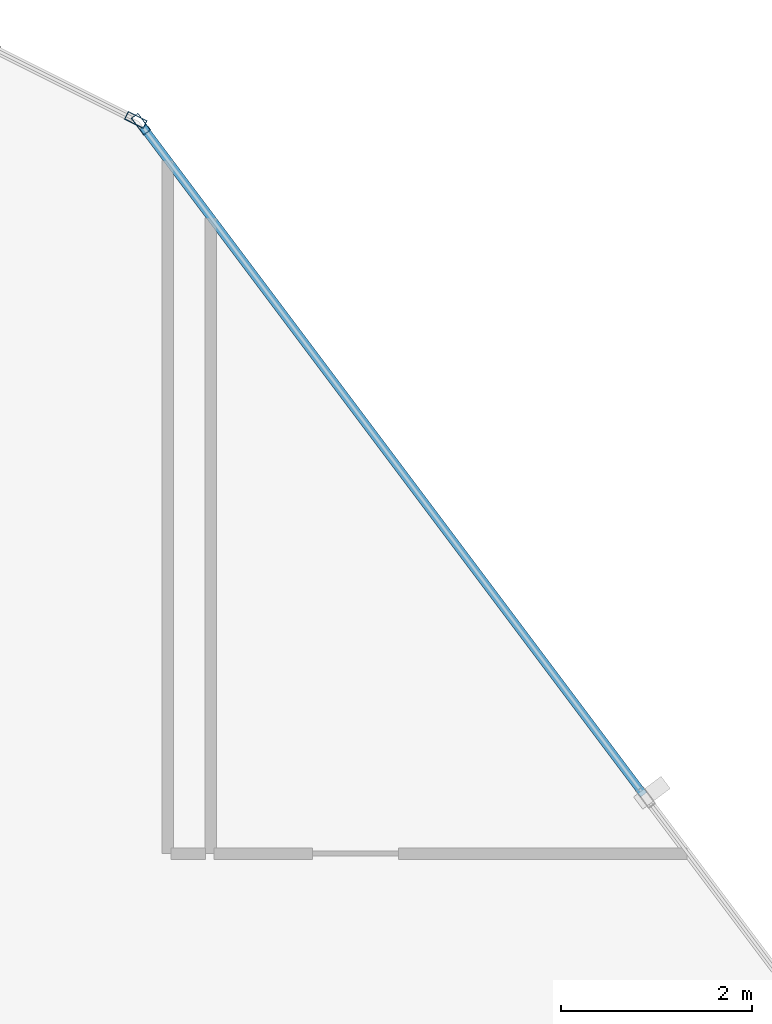
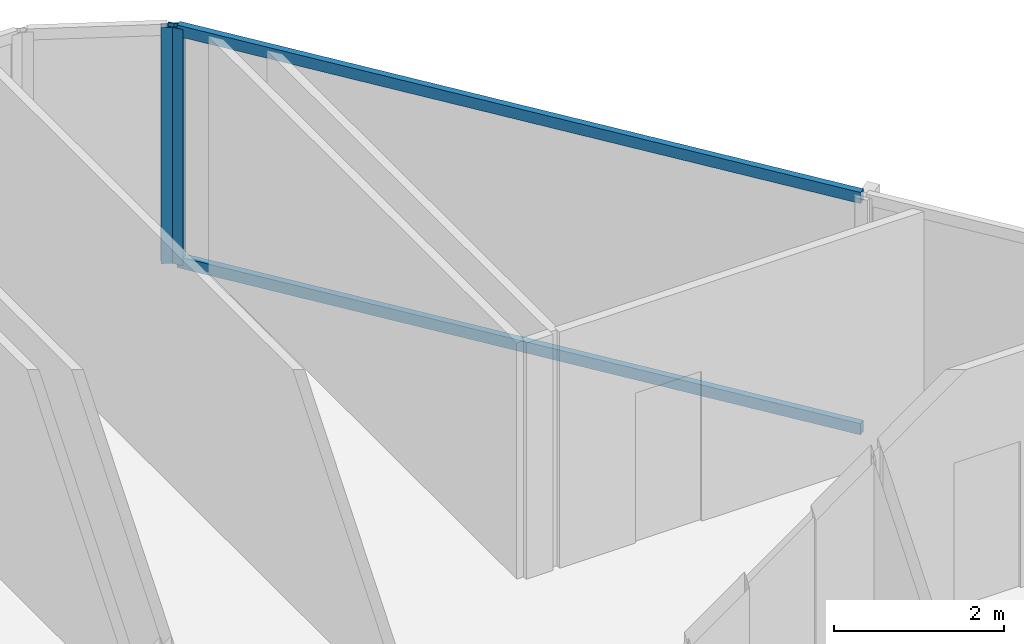
# One storey, part 17 of 34: 4 members, 2 elements without a shape of their own.
"""IFC4 building model written with IfcOpenShell, lengths in metres."""

from ifc_helpers import new_model, si_unit, direction, frame, origin, origin_2d, place, context, subcontext, project, spatial, hollow_rectangle, extrude, material, layer, layer_set, material_profile, profile_set, type_object, element, aggregate, save


model = new_model("IFC4")

# Units and contexts
model_context = context("Model", 3, precision=1e-05, world=origin(), true_north=direction((0.0, 1.0)))
body_context = subcontext(model_context, "Body", "Model", "MODEL_VIEW")
ifc_project = project(units=[si_unit("LENGTHUNIT", "METRE"), si_unit("AREAUNIT", "SQUARE_METRE"), si_unit("VOLUMEUNIT", "CUBIC_METRE"), si_unit("PLANEANGLEUNIT", "RADIAN"), si_unit("MASSUNIT", "GRAM", prefix="KILO")], contexts=[model_context])

# Site, building, storey
site_placement = place(None, origin())
site = spatial("IfcSite", under=ifc_project, at=site_placement, CompositionType="ELEMENT")
building_placement = place(site_placement, origin())
building = spatial("IfcBuilding", under=site, at=building_placement, Name="Keshet Zoharim Tower", CompositionType="ELEMENT")
storey_placement = place(building_placement, frame((0.0, 0.0, 53.60009765625)))
storey = spatial("IfcBuildingStorey", under=building, at=storey_placement, Name="L12", CompositionType="ELEMENT", Elevation=53.60009765625)

# Curtain wall, member
ifc_material = material(Name="Aluminium 6063-T6", Category="aluminium")
ifc_layer = layer(ifc_material, 0.169921875)
ifc_layer_set = layer_set([ifc_layer], Name="Aluminium 6063-T6")
curtain_wall_type = type_object("IfcCurtainWallType", Name="CW-SYS-02", PredefinedType="NOTDEFINED", material=ifc_layer_set)
curtain_wall_1_placement = place(storey_placement, origin())
curtain_wall_1 = element("IfcCurtainWall", 1, at=curtain_wall_1_placement, inside=storey, type_object=curtain_wall_type, Name="L12 Unitised Curtain Wall 08", PredefinedType="NOTDEFINED")
ifc_material_profile_1 = material_profile(ifc_material, hollow_rectangle(XDim=0.090087890625, YDim=0.219970703125, WallThickness=0.0048828125, at=origin_2d()), Name="MUL-90x220")
ifc_profile_set_1 = profile_set([ifc_material_profile_1], Name="Aluminium 6063-T6")
member_type_1 = type_object("IfcMemberType", Name="CWM-M22", PredefinedType="MULLION", material=ifc_profile_set_1)
member_1_placement = place(storey_placement, frame((51.568603515625, 53.11572265625, 0.0), z_axis=(0.0, 0.0, 1.0), x_axis=(0.447213595499, 0.894427191001, 0.0)))
member_1 = element("IfcMember", 2, at=member_1_placement, type_object=member_type_1, Name="CW-02 mullion 2", PredefinedType="MULLION", context=body_context, shape_type="SweptSolid", body=[
    extrude(hollow_rectangle(XDim=0.090087890625, YDim=0.219970703125, WallThickness=0.0048828125, at=origin_2d()), origin(), (0.0, 0.0, 1.0), 3.385009765625),
])
aggregate(curtain_wall_1, [member_1])

# Curtain wall, members
curtain_wall_2_placement = place(storey_placement, origin())
curtain_wall_2 = element("IfcCurtainWall", 3, at=curtain_wall_2_placement, inside=storey, type_object=curtain_wall_type, Name="L12 Unitised Curtain Wall 09", PredefinedType="NOTDEFINED")
member_2_placement = place(storey_placement, frame((51.62109375, 53.072021484375, 0.0), z_axis=(0.0, 0.0, 1.0), x_axis=(0.799999999998, 0.600000000002, 0.0)))
member_2 = element("IfcMember", 4, at=member_2_placement, type_object=member_type_1, Name="CW-02 mullion 1", PredefinedType="MULLION", context=body_context, shape_type="SweptSolid", body=[
    extrude(hollow_rectangle(XDim=0.090087890625, YDim=0.219970703125, WallThickness=0.0048828125, at=origin_2d()), origin(), (0.0, 0.0, 1.0), 3.385009765625),
])
ifc_material_profile_2 = material_profile(ifc_material, hollow_rectangle(XDim=0.0849609375, YDim=0.159912109375, WallThickness=0.00439453125, at=origin_2d()), Name="TRN-85x160")
ifc_profile_set_2 = profile_set([ifc_material_profile_2], Name="Aluminium 6063-T6")
member_type_2 = type_object("IfcMemberType", Name="CWT-T16", PredefinedType="USERDEFINED", material=ifc_profile_set_2)
member_3_placement = place(storey_placement, frame((51.64208984375, 53.0439453125, 0.034912109375), z_axis=(0.599991043201, -0.800006717521, 0.0), x_axis=(0.800006717521, 0.599991043201, 0.0)))
member_3 = element("IfcMember", 5, at=member_3_placement, type_object=member_type_2, Name="CW-02 transom 1.1", ObjectType="TRANSOM", PredefinedType="USERDEFINED", context=body_context, shape_type="SweptSolid", body=[
    extrude(hollow_rectangle(XDim=0.0849609375, YDim=0.159912109375, WallThickness=0.00439453125, at=origin_2d()), origin(), (0.0, 0.0, 1.0), 8.722412109375),
])
member_4_placement = place(storey_placement, frame((51.64208984375, 53.0439453125, 3.349853515625), z_axis=(0.599991043201, -0.800006717521, 0.0), x_axis=(0.800006717521, 0.599991043201, 0.0)))
member_4 = element("IfcMember", 6, at=member_4_placement, type_object=member_type_2, Name="CW-02 transom 1.2", ObjectType="TRANSOM", PredefinedType="USERDEFINED", context=body_context, shape_type="SweptSolid", body=[
    extrude(hollow_rectangle(XDim=0.0849609375, YDim=0.159912109375, WallThickness=0.00439453125, at=origin_2d()), origin(), (0.0, 0.0, 1.0), 8.722412109375),
])
aggregate(curtain_wall_2, [member_2, member_3, member_4])

save(model, "model.ifc")
